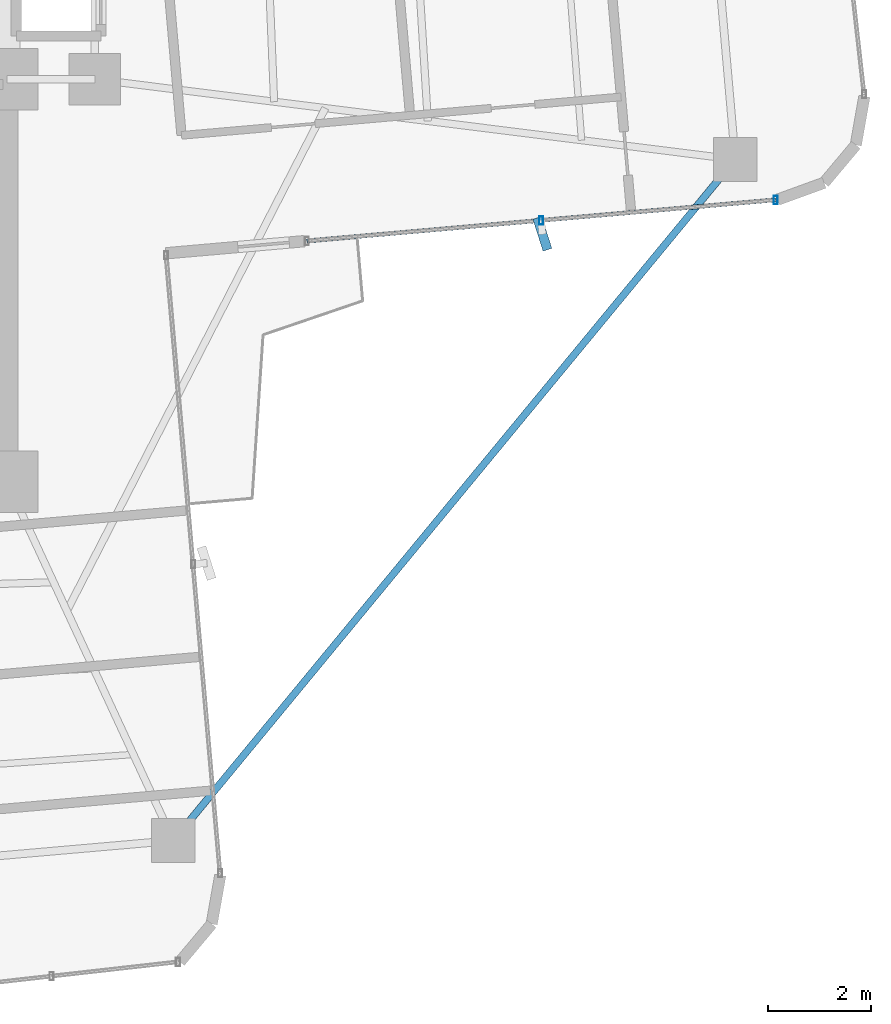
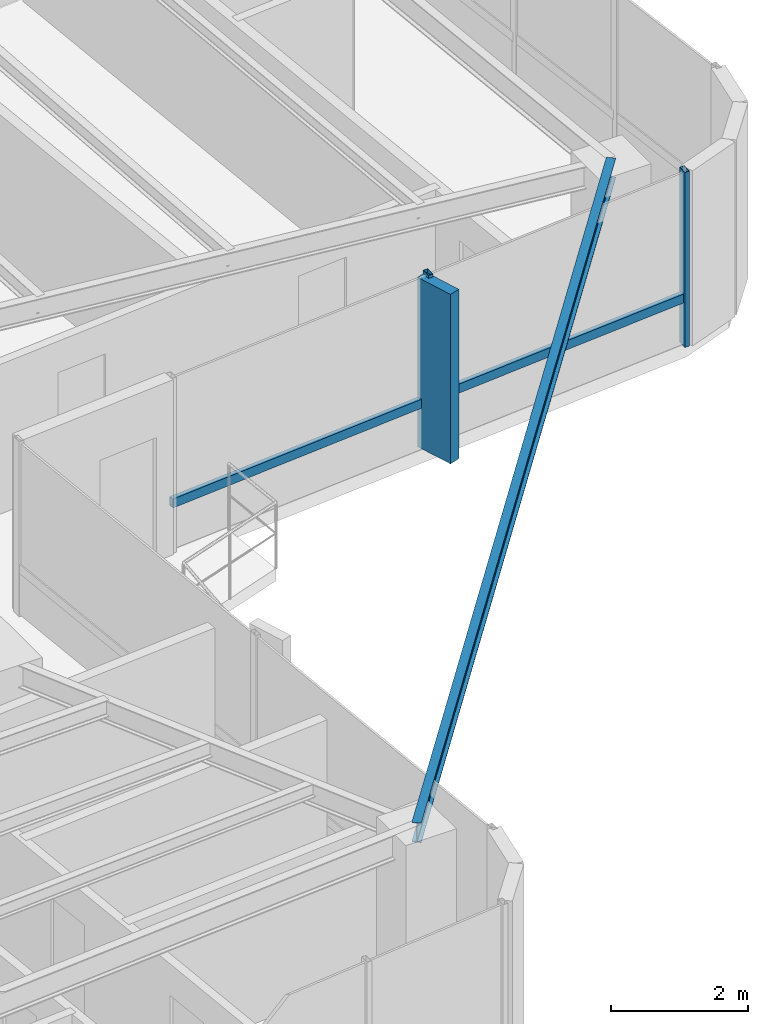
# One storey, part 13 of 24: 5 members, 1 beam, 1 element without a shape of its own.
"""IFC4 building model written with IfcOpenShell, lengths in metres."""

from ifc_helpers import new_model, si_unit, direction, frame, origin, origin_2d, place, context, subcontext, project, spatial, rectangle, hollow_rectangle, i_section, extrude, source, transform, mapped, material, material_profile, profile_set, type_object, element, aggregate, save


model = new_model("IFC4")

# Units and contexts
model_context = context("Model", 3, precision=1e-05, world=origin(), true_north=direction((0.0, 1.0)))
body_context = subcontext(model_context, "Body", "Model", "MODEL_VIEW")
ifc_project = project(units=[si_unit("LENGTHUNIT", "METRE"), si_unit("AREAUNIT", "SQUARE_METRE"), si_unit("VOLUMEUNIT", "CUBIC_METRE"), si_unit("PLANEANGLEUNIT", "RADIAN"), si_unit("MASSUNIT", "GRAM", prefix="KILO")], contexts=[model_context])

# Site, building, storey
site_placement = place(None, origin())
site = spatial("IfcSite", under=ifc_project, at=site_placement, CompositionType="ELEMENT")
building_placement = place(site_placement, origin())
building = spatial("IfcBuilding", under=site, at=building_placement, Name="Sahyath Konkavel Grand Hotel", CompositionType="ELEMENT")
storey_placement = place(building_placement, frame((0.0, 0.0, 157.300048828125)))
storey = spatial("IfcBuildingStorey", under=building, at=storey_placement, Name="L43", CompositionType="ELEMENT", Elevation=157.300048828125)

# Beam
ifc_material_1 = material(Name="Steel E350", Category="steel")
ifc_material_profile_1 = material_profile(ifc_material_1, i_section(OverallWidth=0.139892578125, OverallDepth=0.35009765625, WebThickness=0.008056640625, FlangeThickness=0.01416015625, FilletRadius=0.013916015625, at=origin_2d()), Name="ISMB 350")
ifc_profile_set_1 = profile_set([ifc_material_profile_1], Name="Steel E350")
beam_type = type_object("IfcBeamType", Name="BM-ISMB350", PredefinedType="BEAM", material=ifc_profile_set_1)
shared_shape_1 = source(origin(), body_context, "Body", "SweptSolid", [
    extrude(i_section(OverallWidth=0.139892578125, OverallDepth=0.35009765625, WebThickness=0.008056640625, FlangeThickness=0.01416015625, FilletRadius=0.013916015625, at=origin_2d()), origin(), (0.0, 0.0, 1.0), 17.112548828125),
])
beam_placement = place(storey_placement, frame((17.912841796875, -3.953857421875, 2.93505859375), z_axis=(-0.636437070092, -0.77132863023, 0.0), x_axis=(0.77132863023, -0.636437070092, 0.0)))
element("IfcBeam", 1, at=beam_placement, inside=storey, type_object=beam_type, Name="L43 Re-Entrant Tie Beam SE", PredefinedType="BEAM", context=body_context, shape_type="MappedRepresentation", body=[
    mapped(shared_shape_1, transform((0.0, 0.0, 0.0), scale=1.0)),
])

# Curtain wall, members
ifc_material_2 = material(Name="Anodised Bronze Aluminium & Low-E Glazing", Category="aluminium")
curtain_wall_type = type_object("IfcCurtainWallType", Name="CW-ZONE3", PredefinedType="NOTDEFINED", material=ifc_material_2)
curtain_wall_placement = place(storey_placement, origin())
curtain_wall = element("IfcCurtainWall", 2, at=curtain_wall_placement, inside=storey, type_object=curtain_wall_type, Name="L43 Unitised Curtain Wall F0", PredefinedType="NOTDEFINED")
ifc_material_3 = material(Name="Anodised Bronze Aluminium", Category="aluminium")
ifc_material_profile_2 = material_profile(ifc_material_3, hollow_rectangle(XDim=0.080078125, YDim=0.159912109375, WallThickness=0.006103515625, at=origin_2d()), Name="RHS 160x80x6")
ifc_profile_set_2 = profile_set([ifc_material_profile_2], Name="Anodised Bronze Aluminium")
member_type_1 = type_object("IfcMemberType", Name="CW-MUL-160", PredefinedType="MULLION", material=ifc_profile_set_2)
shared_shape_2 = source(origin(), body_context, "Body", "SweptSolid", [
    extrude(hollow_rectangle(XDim=0.080078125, YDim=0.159912109375, WallThickness=0.006103515625, at=origin_2d()), origin(), (0.0, 0.0, 1.0), 3.10986328125),
])
member_1_placement = place(storey_placement, frame((14.151611328125, -5.135986328125, 0.0), z_axis=(0.0, 0.0, 1.0), x_axis=(1.0, 0.0, 0.0)))
member_1 = element("IfcMember", 3, at=member_1_placement, type_object=member_type_1, Name="L43 Curtain Wall Mullion F0-1", PredefinedType="MULLION", context=body_context, shape_type="MappedRepresentation", body=[
    mapped(shared_shape_2, transform((0.0, 0.0, 0.0), scale=1.0)),
])
member_2_placement = place(storey_placement, frame((18.694091796875, -4.73876953125, 0.0), z_axis=(0.0, 0.0, 1.0), x_axis=(1.0, 0.0, 0.0)))
member_2 = element("IfcMember", 4, at=member_2_placement, type_object=member_type_1, Name="L43 Curtain Wall Mullion F0-2", PredefinedType="MULLION", context=body_context, shape_type="MappedRepresentation", body=[
    mapped(shared_shape_2, transform((0.0, 0.0, 0.0), scale=1.0)),
])
ifc_material_4 = material(Name="Warm Buff Sandstone Cladding on Concrete C50/60", Category="masonry")
ifc_material_profile_3 = material_profile(ifc_material_4, rectangle(XDim=0.179931640625, YDim=0.64990234375, at=origin_2d()), Name="FIN 180x650")
ifc_profile_set_3 = profile_set([ifc_material_profile_3], Name="Warm Buff Sandstone Cladding on Concrete C50/60")
member_type_2 = type_object("IfcMemberType", Name="FIN-SANDSTONE-650", PredefinedType="MULLION", material=ifc_profile_set_3)
shared_shape_3 = source(origin(), body_context, "Body", "SweptSolid", [
    extrude(rectangle(XDim=0.179931640625, YDim=0.64990234375, at=origin_2d()), origin(), (0.0, 0.0, 1.0), 3.010009765625),
])
member_3_placement = place(storey_placement, frame((14.17431640625, -5.39501953125, 0.050048828125), z_axis=(0.0, 0.0, 1.0), x_axis=(0.952767550771, 0.303700500819, 0.0)))
member_3 = element("IfcMember", 5, at=member_3_placement, type_object=member_type_2, Name="L43 Sandstone Vertical Solar Fin FIN F0-1", PredefinedType="MULLION", context=body_context, shape_type="MappedRepresentation", body=[
    mapped(shared_shape_3, transform((0.0, 0.0, 0.0), scale=1.0)),
])
ifc_material_profile_4 = material_profile(ifc_material_3, hollow_rectangle(XDim=0.080078125, YDim=0.159912109375, WallThickness=0.006103515625, at=origin_2d()), Name="RHS 160x80x6")
ifc_profile_set_4 = profile_set([ifc_material_profile_4], Name="Anodised Bronze Aluminium")
member_type_3 = type_object("IfcMemberType", Name="CW-TRN-160", PredefinedType="USERDEFINED", material=ifc_profile_set_4)
shared_shape_4 = source(origin(), body_context, "Body", "SweptSolid", [
    extrude(hollow_rectangle(XDim=0.080078125, YDim=0.159912109375, WallThickness=0.006103515625, at=origin_2d()), origin(), (0.0, 0.0, 1.0), 4.56005859375),
])
member_4_placement = place(storey_placement, frame((9.60888671875, -5.53369140625, 0.849853515625), z_axis=(0.996189590376, 0.087214104516, 0.0), x_axis=(-0.087214104516, 0.996189590376, 0.0)))
member_4 = element("IfcMember", 6, at=member_4_placement, type_object=member_type_3, Name="L43 Curtain Wall Transom F0-0-spandrel", ObjectType="TRANSOM", PredefinedType="USERDEFINED", context=body_context, shape_type="MappedRepresentation", body=[
    mapped(shared_shape_4, transform((0.0, 0.0, 0.0), scale=1.0)),
])
shared_shape_5 = source(origin(), body_context, "Body", "SweptSolid", [
    extrude(hollow_rectangle(XDim=0.080078125, YDim=0.159912109375, WallThickness=0.006103515625, at=origin_2d()), origin(), (0.0, 0.0, 1.0), 4.559814453125),
])
member_5_placement = place(storey_placement, frame((14.151611328125, -5.135986328125, 0.849853515625), z_axis=(0.99619848155, 0.087112486804, 0.0), x_axis=(-0.087112486804, 0.99619848155, 0.0)))
member_5 = element("IfcMember", 7, at=member_5_placement, type_object=member_type_3, Name="L43 Curtain Wall Transom F0-1-spandrel", ObjectType="TRANSOM", PredefinedType="USERDEFINED", context=body_context, shape_type="MappedRepresentation", body=[
    mapped(shared_shape_5, transform((0.0, 0.0, 0.0), scale=1.0)),
])
aggregate(curtain_wall, [member_1, member_3, member_2, member_4, member_5])

save(model, "model.ifc")
